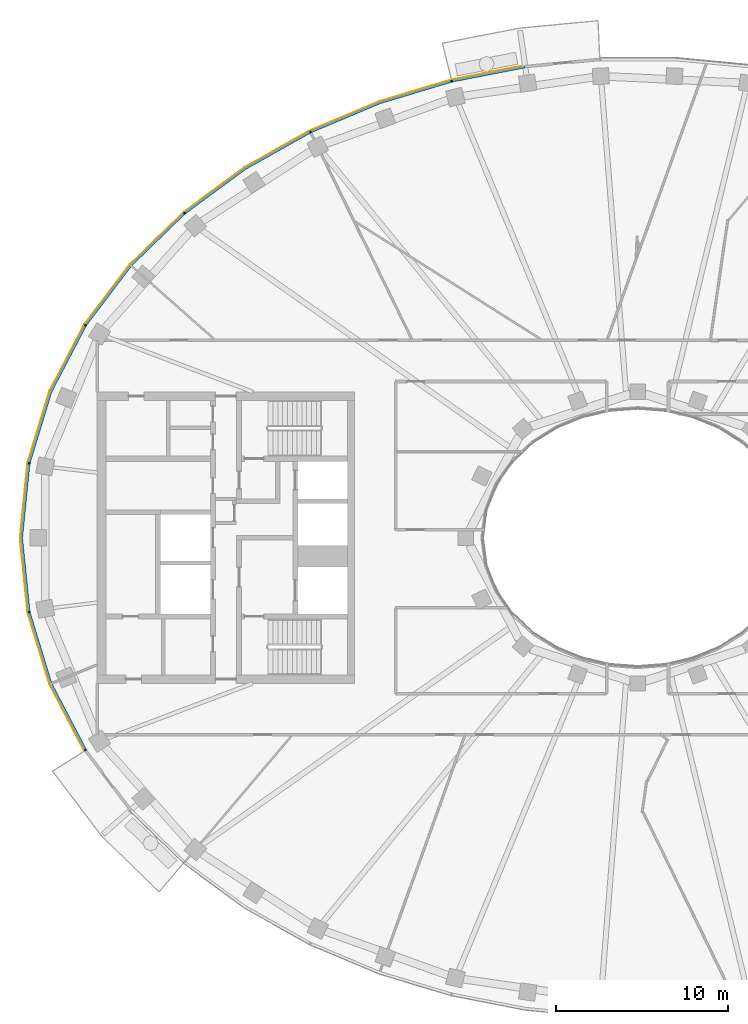
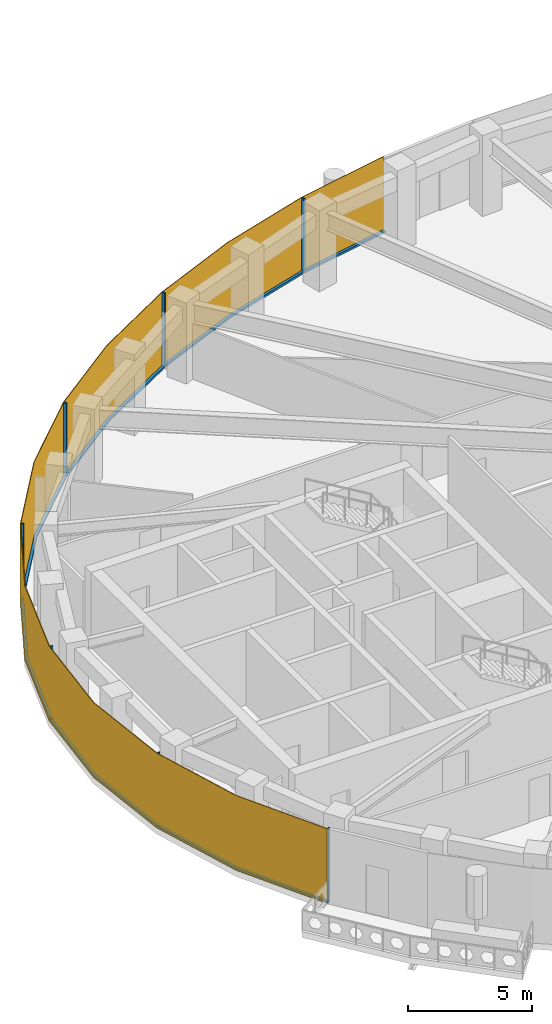
# One storey, part 11 of 16: 14 members, 1 curtain wall.
"""IFC4 building model written with IfcOpenShell, lengths in metres."""

from ifc_helpers import new_model, si_unit, direction, frame, origin, origin_2d, place, context, subcontext, project, spatial, polyline, rectangle, outline, extrude, material, layer, layer_set, material_profile, profile_set, type_object, element, aggregate, save


model = new_model("IFC4")

# Units and contexts
model_context = context("Model", 3, precision=1e-05, world=origin(), true_north=direction((0.0, 1.0)))
body_context = subcontext(model_context, "Body", "Model", "MODEL_VIEW")
ifc_project = project(units=[si_unit("LENGTHUNIT", "METRE"), si_unit("AREAUNIT", "SQUARE_METRE"), si_unit("VOLUMEUNIT", "CUBIC_METRE"), si_unit("PLANEANGLEUNIT", "RADIAN"), si_unit("MASSUNIT", "GRAM", prefix="KILO")], contexts=[model_context])

# Member
ifc_material_1 = material(Name="Aluminium 6063-T6 black anodised", Category="aluminium")
ifc_material_profile = material_profile(ifc_material_1, rectangle(XDim=0.1201171875, YDim=0.06005859375, at=origin_2d()), Name="120x60")
ifc_profile_set = profile_set([ifc_material_profile], Name="Aluminium 6063-T6 black anodised")
member_type_1 = type_object("IfcMemberType", Name="ENV-MULLION-A-120", PredefinedType="MULLION", material=ifc_profile_set)
site_placement = place(None, origin())
building_placement = place(site_placement, origin())
storey_placement = place(building_placement, frame((0.0, 0.0, 299.0)))
member_1_placement = place(storey_placement, frame((-10.84326171875, 26.60498046875, 0.0), z_axis=(0.0, 0.0, 1.0), x_axis=(0.239799081534, -0.970822538106, 0.0)))
member_1 = element("IfcMember", 1, at=member_1_placement, type_object=member_type_1, Name="Mullion A radial 15", PredefinedType="MULLION", context=body_context, shape_type="SweptSolid", body=[
    extrude(rectangle(XDim=0.1201171875, YDim=0.06005859375, at=origin_2d()), origin(), (0.0, 0.0, 1.0), 3.699951171875),
])

member_2_placement = place(storey_placement, frame((-19.06787109375, 23.6474609375, 0.0), z_axis=(0.0, 0.0, 1.0), x_axis=(0.439237769837, -0.898370848563, 0.0)))
member_2 = element("IfcMember", 2, at=member_2_placement, type_object=member_type_1, Name="Mullion A radial 17", PredefinedType="MULLION", context=body_context, shape_type="SweptSolid", body=[
    extrude(rectangle(XDim=0.1201171875, YDim=0.06005859375, at=origin_2d()), origin(), (0.0, 0.0, 1.0), 3.699951171875),
])

member_3_placement = place(storey_placement, frame((-26.403564453125, 18.9130859375, 0.0), z_axis=(0.0, 0.0, 1.0), x_axis=(0.646451313783, -0.762955240435, 0.0)))
member_3 = element("IfcMember", 3, at=member_3_placement, type_object=member_type_1, Name="Mullion A radial 19", PredefinedType="MULLION", context=body_context, shape_type="SweptSolid", body=[
    extrude(rectangle(XDim=0.1201171875, YDim=0.06005859375, at=origin_2d()), origin(), (0.0, 0.0, 1.0), 3.699951171875),
])

member_4_placement = place(storey_placement, frame((-32.177490234375, 12.385498046875, 0.0), z_axis=(0.0, 0.0, 1.0), x_axis=(0.844829880882, -0.53503501976, 0.0)))
member_4 = element("IfcMember", 4, at=member_4_placement, type_object=member_type_1, Name="Mullion A radial 21", PredefinedType="MULLION", context=body_context, shape_type="SweptSolid", body=[
    extrude(rectangle(XDim=0.1201171875, YDim=0.06005859375, at=origin_2d()), origin(), (0.0, 0.0, 1.0), 3.699951171875),
])

member_5_placement = place(storey_placement, frame((-35.470947265625, 4.340576171875, 0.0), z_axis=(0.0, 0.0, 1.0), x_axis=(0.980379083141, -0.19712141776, 0.0)))
member_5 = element("IfcMember", 5, at=member_5_placement, type_object=member_type_1, Name="Mullion A radial 23", PredefinedType="MULLION", context=body_context, shape_type="SweptSolid", body=[
    extrude(rectangle(XDim=0.1201171875, YDim=0.06005859375, at=origin_2d()), origin(), (0.0, 0.0, 1.0), 3.699951171875),
])

member_6_placement = place(storey_placement, frame((-35.470947265625, -4.340576171875, 0.0), z_axis=(0.0, 0.0, 1.0), x_axis=(0.980379083141, 0.19712141776, 0.0)))
member_6 = element("IfcMember", 6, at=member_6_placement, type_object=member_type_1, Name="Mullion A radial 25", PredefinedType="MULLION", context=body_context, shape_type="SweptSolid", body=[
    extrude(rectangle(XDim=0.1201171875, YDim=0.06005859375, at=origin_2d()), origin(), (0.0, 0.0, 1.0), 3.699951171875),
])

member_7_placement = place(storey_placement, frame((-32.177490234375, -12.385498046875, 0.0), z_axis=(0.0, 0.0, 1.0), x_axis=(0.844829880882, 0.53503501976, 0.0)))
member_7 = element("IfcMember", 7, at=member_7_placement, type_object=member_type_1, Name="Mullion A radial 27", PredefinedType="MULLION", context=body_context, shape_type="SweptSolid", body=[
    extrude(rectangle(XDim=0.1201171875, YDim=0.06005859375, at=origin_2d()), origin(), (0.0, 0.0, 1.0), 3.699951171875),
])

ifc_material_2 = material(Name="Aluminium 6063-T6 black anodised", Category="aluminium")
member_type_2 = type_object("IfcMemberType", Name="ENV-TRANSOM-A", PredefinedType="USERDEFINED", material=ifc_material_2)
member_8_placement = place(storey_placement, origin())
member_8 = element("IfcMember", 8, at=member_8_placement, type_object=member_type_2, Name="Transom A radial 14-15", ObjectType="TRANSOM", PredefinedType="USERDEFINED", context=body_context, shape_type="SweptSolid", body=[
    extrude(outline(polyline([(-6.57470703125, 27.49560546875), (-10.830078125, 26.66845703125), (-10.80126953125, 26.552001953125), (-6.5576171875, 27.376708984375), (-6.57470703125, 27.49560546875)])), origin(), (0.0, 0.0, 1.0), 0.10009765625),
])

member_9_placement = place(storey_placement, origin())
member_9 = element("IfcMember", 9, at=member_9_placement, type_object=member_type_2, Name="Transom A radial 15-17", ObjectType="TRANSOM", PredefinedType="USERDEFINED", context=body_context, shape_type="SweptSolid", body=[
    extrude(outline(polyline([(-10.884521484375, 26.655029296875), (-15.054443359375, 25.400146484375), (-19.068359375, 23.71240234375), (-19.015380859375, 23.604248046875), (-15.013916015625, 25.287109375), (-10.855712890625, 26.53857421875), (-10.884521484375, 26.655029296875)])), origin(), (0.0, 0.0, 1.0), 0.10009765625),
])

member_10_placement = place(storey_placement, origin())
member_10 = element("IfcMember", 10, at=member_10_placement, type_object=member_type_2, Name="Transom A radial 17-19", ObjectType="TRANSOM", PredefinedType="USERDEFINED", context=body_context, shape_type="SweptSolid", body=[
    extrude(outline(polyline([(-19.11865234375, 23.687744140625), (-22.9150390625, 21.556884765625), (-26.419921875, 18.975341796875), (-26.342041015625, 18.883544921875), (-22.85009765625, 21.455810546875), (-19.06591796875, 23.57958984375), (-19.11865234375, 23.687744140625)])), origin(), (0.0, 0.0, 1.0), 0.10009765625),
])

member_11_placement = place(storey_placement, origin())
member_11 = element("IfcMember", 11, at=member_11_placement, type_object=member_type_2, Name="Transom A radial 19-21", ObjectType="TRANSOM", PredefinedType="USERDEFINED", context=body_context, shape_type="SweptSolid", body=[
    extrude(outline(polyline([(-26.46240234375, 18.939208984375), (-29.58349609375, 15.906982421875), (-32.211181640625, 12.43994140625), (-32.109375, 12.37548828125), (-29.493408203125, 15.8271484375), (-26.384765625, 18.847412109375), (-26.46240234375, 18.939208984375)])), origin(), (0.0, 0.0, 1.0), 0.10009765625),
])

member_12_placement = place(storey_placement, origin())
member_12 = element("IfcMember", 12, at=member_12_placement, type_object=member_type_2, Name="Transom A radial 21-23", ObjectType="TRANSOM", PredefinedType="USERDEFINED", context=body_context, shape_type="SweptSolid", body=[
    extrude(outline(polyline([(-32.240966796875, 12.392578125), (-34.251220703125, 8.53662109375), (-35.521484375, 4.379150390625), (-35.4033203125, 4.355224609375), (-34.139892578125, 8.490966796875), (-32.139404296875, 12.328369140625), (-32.240966796875, 12.392578125)])), origin(), (0.0, 0.0, 1.0), 0.10009765625),
])

member_13_placement = place(storey_placement, origin())
member_13 = element("IfcMember", 13, at=member_13_placement, type_object=member_type_2, Name="Transom A radial 23-25", ObjectType="TRANSOM", PredefinedType="USERDEFINED", context=body_context, shape_type="SweptSolid", body=[
    extrude(outline(polyline([(-35.532470703125, 4.324462890625), (-35.9677734375, 0.0), (-35.532470703125, -4.324462890625), (-35.414306640625, -4.30078125), (-35.84716796875, 0.0), (-35.414306640625, 4.30078125), (-35.532470703125, 4.324462890625)])), origin(), (0.0, 0.0, 1.0), 0.10009765625),
])

member_14_placement = place(storey_placement, origin())
member_14 = element("IfcMember", 14, at=member_14_placement, type_object=member_type_2, Name="Transom A radial 25-27", ObjectType="TRANSOM", PredefinedType="USERDEFINED", context=body_context, shape_type="SweptSolid", body=[
    extrude(outline(polyline([(-35.521484375, -4.379150390625), (-34.251220703125, -8.53662109375), (-32.240966796875, -12.392578125), (-32.139404296875, -12.328369140625), (-34.139892578125, -8.490966796875), (-35.4033203125, -4.355224609375), (-35.521484375, -4.379150390625)])), origin(), (0.0, 0.0, 1.0), 0.10009765625),
])

# Site, building, storey
site = spatial("IfcSite", under=ifc_project, at=site_placement, CompositionType="ELEMENT")
building = spatial("IfcBuilding", under=site, at=building_placement, Name="Noorbagh Ring Tower", CompositionType="ELEMENT")
storey = spatial("IfcBuildingStorey", under=building, at=storey_placement, Name="L64", CompositionType="ELEMENT", Elevation=299.0)

# Curtain wall
ifc_material_3 = material(Name="Glass dark tinted laminated", Category="glass")
ifc_layer = layer(ifc_material_3, 0.031982421875)
ifc_layer_set = layer_set([ifc_layer], Name="Glass dark tinted laminated")
curtain_wall_type = type_object("IfcCurtainWallType", Name="ENV-CW-A", PredefinedType="NOTDEFINED", material=ifc_layer_set)
curtain_wall_placement = place(storey_placement, origin())
curtain_wall = element("IfcCurtainWall", 15, at=curtain_wall_placement, inside=storey, type_object=curtain_wall_type, Name="Curtain wall A R14", PredefinedType="NOTDEFINED", context=body_context, shape_type="SweptSolid", body=[
    extrude(outline(polyline([(-6.579345703125, 27.52734375), (-10.865234375, 26.6943359375), (-15.065185546875, 25.430419921875), (-19.108154296875, 23.730224609375), (-22.9326171875, 21.583740234375), (-26.463134765625, 18.9833984375), (-29.607666015625, 15.927978515625), (-32.255126953125, 12.434814453125), (-34.281005859375, 8.548828125), (-35.561279296875, 4.358642578125), (-36.0, 0.0), (-35.561279296875, -4.358642578125), (-34.281005859375, -8.548828125), (-32.264404296875, -12.4169921875), (-32.2373046875, -12.39990234375), (-34.251220703125, -8.53662109375), (-35.529541015625, -4.352294921875), (-35.9677734375, 0.0), (-35.529541015625, 4.352294921875), (-34.251220703125, 8.53662109375), (-32.22802734375, 12.41748046875), (-29.58349609375, 15.906982421875), (-26.4423828125, 18.958740234375), (-22.9150390625, 21.556884765625), (-19.093994140625, 23.701416015625), (-15.054443359375, 25.400146484375), (-10.857666015625, 26.6630859375), (-6.57470703125, 27.49560546875), (-6.579345703125, 27.52734375)])), origin(), (0.0, 0.0, 1.0), 3.699951171875),
])

aggregate(curtain_wall, [member_1, member_2, member_3, member_4, member_5, member_6, member_7, member_8, member_9, member_10, member_11, member_12, member_13, member_14])

save(model, "model.ifc")
